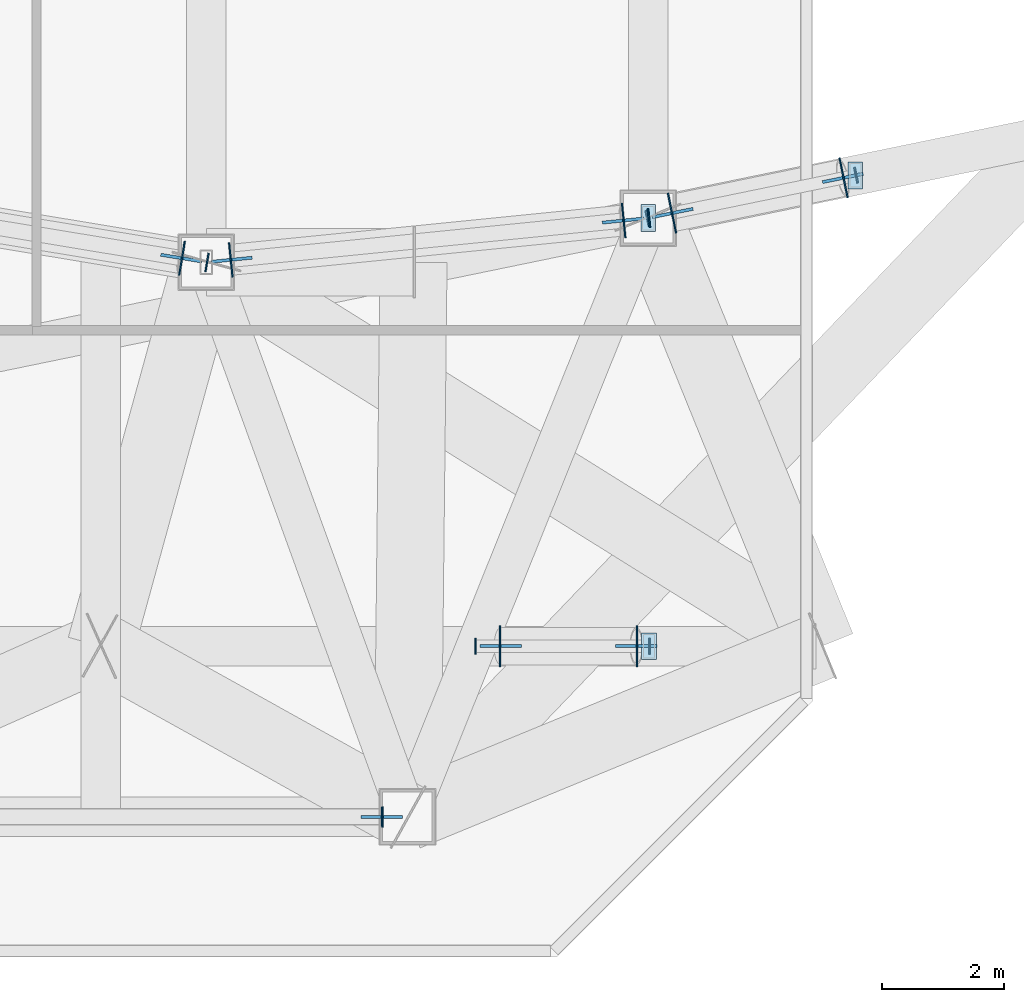
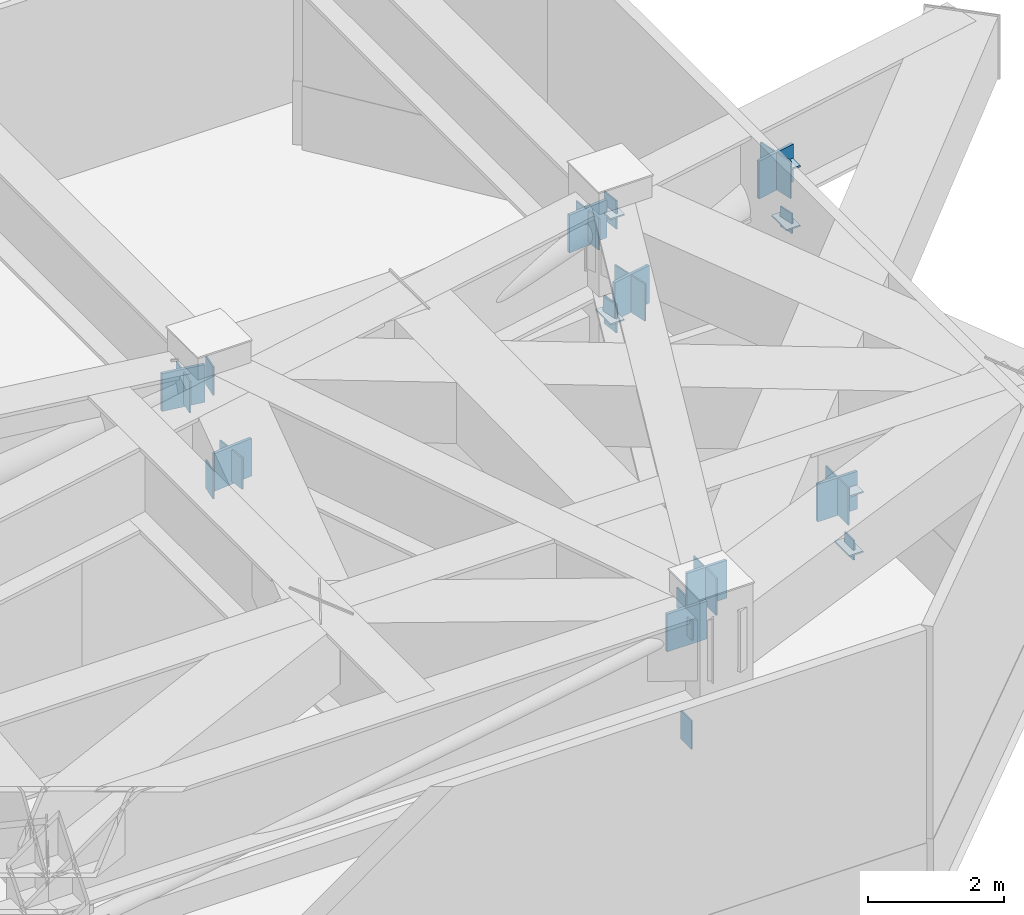
# One storey, part 11 of 19: 31 plates.
"""IFC4 building model written with IfcOpenShell, lengths in metres."""

from ifc_helpers import new_model, si_unit, direction, frame, origin, origin_2d, place, context, subcontext, project, spatial, rectangle, extrude, material, layer, layer_set, type_object, element, save


model = new_model("IFC4")

# Units and contexts
model_context = context("Model", 3, precision=1e-05, world=origin(), true_north=direction((0.0, 1.0)))
body_context = subcontext(model_context, "Body", "Model", "MODEL_VIEW")
ifc_project = project(units=[si_unit("LENGTHUNIT", "METRE"), si_unit("AREAUNIT", "SQUARE_METRE"), si_unit("VOLUMEUNIT", "CUBIC_METRE"), si_unit("PLANEANGLEUNIT", "RADIAN"), si_unit("MASSUNIT", "GRAM", prefix="KILO")], contexts=[model_context])

# Site, building, storey
site_placement = place(None, origin())
site = spatial("IfcSite", under=ifc_project, at=site_placement, CompositionType="ELEMENT")
building_placement = place(site_placement, origin())
building = spatial("IfcBuilding", under=site, at=building_placement, Name="Khamvora Tower", CompositionType="ELEMENT")
storey_placement = place(building_placement, frame((0.0, 0.0, 150.5)))
storey = spatial("IfcBuildingStorey", under=building, at=storey_placement, Name="L38", CompositionType="ELEMENT", Elevation=150.5)

# Plates
ifc_material_1 = material(Name="Steel S355", Category="steel")
ifc_layer_1 = layer(ifc_material_1, 0.02490234375)
ifc_layer_set_1 = layer_set([ifc_layer_1], Name="Steel S355")
plate_type_1 = type_object("IfcPlateType", Name="PL-CAP-25", PredefinedType="SHEET", material=ifc_layer_set_1)
for number, where, z_axis, x_axis, name in (
    (1, (46.662109375, 17.798095703125, 4.375), (0.0, 0.0, 1.0), (0.986577862158, -0.163291524277, 0.0), "L38 hollow section steel end cap plate 0821"),
    (2, (46.662109375, 17.798095703125, 2.5048828125), (0.0, 0.0, 1.0), (0.986577862158, -0.163291524277, 0.0), "L38 hollow section steel end cap plate 0823"),
):
    element("IfcPlate", number, at=place(storey_placement, frame(where, z_axis=z_axis, x_axis=x_axis)), inside=storey, type_object=plate_type_1, Name=name, PredefinedType="SHEET", context=body_context, shape_type="SweptSolid", body=[
        extrude(rectangle(XDim=0.02490234375, YDim=0.31005859375, at=origin_2d()), origin(), (0.0, 0.0, 1.0), 0.510009765625),
    ])
plate_1_placement = place(storey_placement, frame((46.2509765625, 17.865966796875, 4.2431640625), z_axis=(0.0, 0.0, 1.0), x_axis=(0.986580711982, -0.16327430522, 0.0)))
element("IfcPlate", 3, at=plate_1_placement, inside=storey, type_object=plate_type_1, Name="L38 hollow section steel end cap plate 0825", PredefinedType="SHEET", context=body_context, shape_type="SweptSolid", body=[
    extrude(rectangle(XDim=0.02490234375, YDim=0.568115234375, at=origin_2d()), origin(), (0.0, 0.0, 1.0), 0.568115234375),
])
for number, where, z_axis, x_axis, name in (
    (4, (53.912109375, 18.52587890625, 4.375), (0.0, 0.0, 1.0), (0.9950364836, 0.099510784867, 0.0), "L38 hollow section steel end cap plate 0826"),
    (5, (53.912109375, 18.52587890625, 2.5048828125), (0.0, 0.0, 1.0), (0.9950364836, 0.099510784867, 0.0), "L38 hollow section steel end cap plate 0827"),
):
    element("IfcPlate", number, at=place(storey_placement, frame(where, z_axis=z_axis, x_axis=x_axis)), inside=storey, type_object=plate_type_1, Name=name, PredefinedType="SHEET", context=body_context, shape_type="SweptSolid", body=[
        extrude(rectangle(XDim=0.02490234375, YDim=0.31005859375, at=origin_2d()), origin(), (0.0, 0.0, 1.0), 0.510009765625),
    ])
for number, where, z_axis, x_axis, name in (
    (6, (47.052001953125, 17.840087890625, 2.580078125), (0.0, 0.0, 1.0), (0.995024318638, 0.099632350764, 0.0), "L38 hollow section steel end cap plate 0828"),
    (7, (53.498046875, 18.485107421875, 4.24169921875), (0.0, 0.0, 1.0), (0.995024318638, 0.099632350764, 0.0), "L38 hollow section steel end cap plate 0829"),
):
    element("IfcPlate", number, at=place(storey_placement, frame(where, z_axis=z_axis, x_axis=x_axis)), inside=storey, type_object=plate_type_1, Name=name, PredefinedType="SHEET", context=body_context, shape_type="SweptSolid", body=[
        extrude(rectangle(XDim=0.02490234375, YDim=0.568115234375, at=origin_2d()), origin(), (0.0, 0.0, 1.0), 0.568115234375),
    ])
for number, where, z_axis, x_axis, name in (
    (8, (53.89990234375, 18.52490234375, 2.735595703125), (0.0, 0.0, 1.0), (1.0, 0.0, 0.0), "L38 hollow section steel end cap plate 0830"),
    (9, (53.89990234375, 18.52490234375, 4.629638671875), (0.0, 0.0, 1.0), (1.0, 0.0, 0.0), "L38 hollow section steel end cap plate 0831"),
):
    element("IfcPlate", number, at=place(storey_placement, frame(where, z_axis=z_axis, x_axis=x_axis)), inside=storey, type_object=plate_type_1, Name=name, PredefinedType="SHEET", context=body_context, shape_type="SweptSolid", body=[
        extrude(rectangle(XDim=0.239990234375, YDim=0.43994140625, at=origin_2d()), origin(), (0.0, 0.0, 1.0), 0.02490234375),
    ])
plate_2_placement = place(storey_placement, frame((49.532958984375, 8.699951171875, 2.5048828125), z_axis=(0.0, 0.0, 1.0), x_axis=(1.0, 0.0, 0.0)))
element("IfcPlate", 10, at=plate_2_placement, inside=storey, type_object=plate_type_1, Name="L38 hollow section steel end cap plate 0853", PredefinedType="SHEET", context=body_context, shape_type="SweptSolid", body=[
    extrude(rectangle(XDim=0.02490234375, YDim=0.31005859375, at=origin_2d()), origin(), (0.0, 0.0, 1.0), 0.510009765625),
])
for number, where, z_axis, x_axis, name in (
    (11, (51.06298828125, 11.5, 2.66015625), (0.0, 0.0, 1.0), (1.0, 0.0, 0.0), "L38 hollow section steel end cap plate 0868"),
    (12, (53.925048828125, 11.5, 2.66015625), (0.0, 0.0, 1.0), (1.0, 0.0, 0.0), "L38 hollow section steel end cap plate 0869"),
):
    element("IfcPlate", number, at=place(storey_placement, frame(where, z_axis=z_axis, x_axis=x_axis)), inside=storey, type_object=plate_type_1, Name=name, PredefinedType="SHEET", context=body_context, shape_type="SweptSolid", body=[
        extrude(rectangle(XDim=0.02490234375, YDim=0.260009765625, at=origin_2d()), origin(), (0.0, 0.0, 1.0), 0.360107421875),
    ])
for number, where, z_axis, x_axis, name in (
    (13, (53.9130859375, 11.5, 2.8154296875), (0.0, 0.0, 1.0), (1.0, 0.0, 0.0), "L38 hollow section steel end cap plate 0870"),
    (14, (53.9130859375, 11.5, 3.8896484375), (0.0, 0.0, 1.0), (1.0, 0.0, 0.0), "L38 hollow section steel end cap plate 0871"),
):
    element("IfcPlate", number, at=place(storey_placement, frame(where, z_axis=z_axis, x_axis=x_axis)), inside=storey, type_object=plate_type_1, Name=name, PredefinedType="SHEET", context=body_context, shape_type="SweptSolid", body=[
        extrude(rectangle(XDim=0.239990234375, YDim=0.43994140625, at=origin_2d()), origin(), (0.0, 0.0, 1.0), 0.02490234375),
    ])
for number, where, z_axis, x_axis, name in (
    (15, (51.467041015625, 11.5, 2.650146484375), (0.0, 0.0, 1.0), (1.0, 0.0, 0.0), "L38 hollow section steel end cap plate 0872"),
    (16, (53.718994140625, 11.5, 3.483154296875), (0.0, 0.0, 1.0), (1.0, 0.0, 0.0), "L38 hollow section steel end cap plate 0873"),
):
    element("IfcPlate", number, at=place(storey_placement, frame(where, z_axis=z_axis, x_axis=x_axis)), inside=storey, type_object=plate_type_1, Name=name, PredefinedType="SHEET", context=body_context, shape_type="SweptSolid", body=[
        extrude(rectangle(XDim=0.02490234375, YDim=0.669921875, at=origin_2d()), origin(), (0.0, 0.0, 1.0), 0.669921875),
    ])
for number, where, z_axis, x_axis, name in (
    (17, (53.887939453125, 18.52197265625, 2.66015625), (0.0, 0.0, 1.0), (0.979455755093, 0.201659177363, 0.0), "L38 hollow section steel end cap plate 0884"),
    (18, (57.31201171875, 19.22802734375, 2.66015625), (0.0, 0.0, 1.0), (0.979455755093, 0.201659177363, 0.0), "L38 hollow section steel end cap plate 0885"),
):
    element("IfcPlate", number, at=place(storey_placement, frame(where, z_axis=z_axis, x_axis=x_axis)), inside=storey, type_object=plate_type_1, Name=name, PredefinedType="SHEET", context=body_context, shape_type="SweptSolid", body=[
        extrude(rectangle(XDim=0.02490234375, YDim=0.260009765625, at=origin_2d()), origin(), (0.0, 0.0, 1.0), 0.360107421875),
    ])
for number, where, z_axis, x_axis, name in (
    (19, (57.300048828125, 19.22509765625, 2.8154296875), (0.0, 0.0, 1.0), (1.0, 0.0, 0.0), "L38 hollow section steel end cap plate 0886"),
    (20, (57.300048828125, 19.22509765625, 3.8896484375), (0.0, 0.0, 1.0), (1.0, 0.0, 0.0), "L38 hollow section steel end cap plate 0887"),
):
    element("IfcPlate", number, at=place(storey_placement, frame(where, z_axis=z_axis, x_axis=x_axis)), inside=storey, type_object=plate_type_1, Name=name, PredefinedType="SHEET", context=body_context, shape_type="SweptSolid", body=[
        extrude(rectangle(XDim=0.239990234375, YDim=0.43994140625, at=origin_2d()), origin(), (0.0, 0.0, 1.0), 0.02490234375),
    ])
for number, where, z_axis, x_axis, name in (
    (21, (54.291015625, 18.60595703125, 2.625), (0.0, 0.0, 1.0), (0.979431110467, 0.201778838952, 0.0), "L38 hollow section steel end cap plate 0888"),
    (22, (57.10595703125, 19.18505859375, 3.4951171875), (0.0, 0.0, 1.0), (0.979431110467, 0.201778838952, 0.0), "L38 hollow section steel end cap plate 0889"),
):
    element("IfcPlate", number, at=place(storey_placement, frame(where, z_axis=z_axis, x_axis=x_axis)), inside=storey, type_object=plate_type_1, Name=name, PredefinedType="SHEET", context=body_context, shape_type="SweptSolid", body=[
        extrude(rectangle(XDim=0.02490234375, YDim=0.669921875, at=origin_2d()), origin(), (0.0, 0.0, 1.0), 0.669921875),
    ])
plate_3_placement = place(storey_placement, frame((49.5380859375, 8.699951171875, 4.472412109375), z_axis=(0.0, 0.0, 1.0), x_axis=(1.0, 0.0, 0.0)))
element("IfcPlate", 23, at=plate_3_placement, inside=storey, type_object=plate_type_1, Name="L38 hollow section steel end cap plate 0933", PredefinedType="SHEET", context=body_context, shape_type="SweptSolid", body=[
    extrude(rectangle(XDim=0.02490234375, YDim=0.3330078125, at=origin_2d()), origin(), (0.0, 0.0, 1.0), 0.3330078125),
])
ifc_material_2 = material(Name="Steel S460", Category="steel")
ifc_layer_2 = layer(ifc_material_2, 0.050048828125)
ifc_layer_set_2 = layer_set([ifc_layer_2], Name="Steel S460")
plate_type_2 = type_object("IfcPlateType", Name="PLT-GUS-50", PredefinedType="SHEET", material=ifc_layer_set_2)
for number, where, z_axis, x_axis, name in (
    (24, (46.239013671875, 17.867919921875, 4.18408203125), (0.0, 0.0, 1.0), (0.986577862158, -0.163291524277, 0.0), "L38 brace connection node gusset plate 0238"),
    (25, (47.06396484375, 17.841064453125, 2.52685546875), (0.0, 0.0, 1.0), (0.9950364836, 0.099510784867, 0.0), "L38 brace connection node gusset plate 0239"),
    (26, (53.486083984375, 18.48388671875, 4.18310546875), (0.0, 0.0, 1.0), (0.9950364836, 0.099510784867, 0.0), "L38 brace connection node gusset plate 0240"),
    (27, (51.47900390625, 11.5, 2.64892578125), (0.0, 0.0, 1.0), (1.0, 0.0, 0.0), "L38 brace connection node gusset plate 0257"),
    (28, (53.70703125, 11.5, 3.47412109375), (0.0, 0.0, 1.0), (1.0, 0.0, 0.0), "L38 brace connection node gusset plate 0258"),
    (29, (54.302978515625, 18.60791015625, 2.6240234375), (0.0, 0.0, 1.0), (0.979455755093, 0.201659177363, 0.0), "L38 brace connection node gusset plate 0265"),
    (30, (57.093994140625, 19.18310546875, 3.48583984375), (0.0, 0.0, 1.0), (0.979455755093, 0.201659177363, 0.0), "L38 brace connection node gusset plate 0266"),
    (31, (49.52587890625, 8.699951171875, 4.296875), (0.0, 0.0, 1.0), (1.0, 0.0, 0.0), "L38 brace connection node gusset plate 0270"),
):
    element("IfcPlate", number, at=place(storey_placement, frame(where, z_axis=z_axis, x_axis=x_axis)), inside=storey, type_object=plate_type_2, Name=name, PredefinedType="SHEET", context=body_context, shape_type="SweptSolid", body=[
        extrude(rectangle(XDim=0.679931640625, YDim=0.050048828125, at=origin_2d()), origin(), (0.0, 0.0, 1.0), 0.679931640625),
    ])

save(model, "model.ifc")
